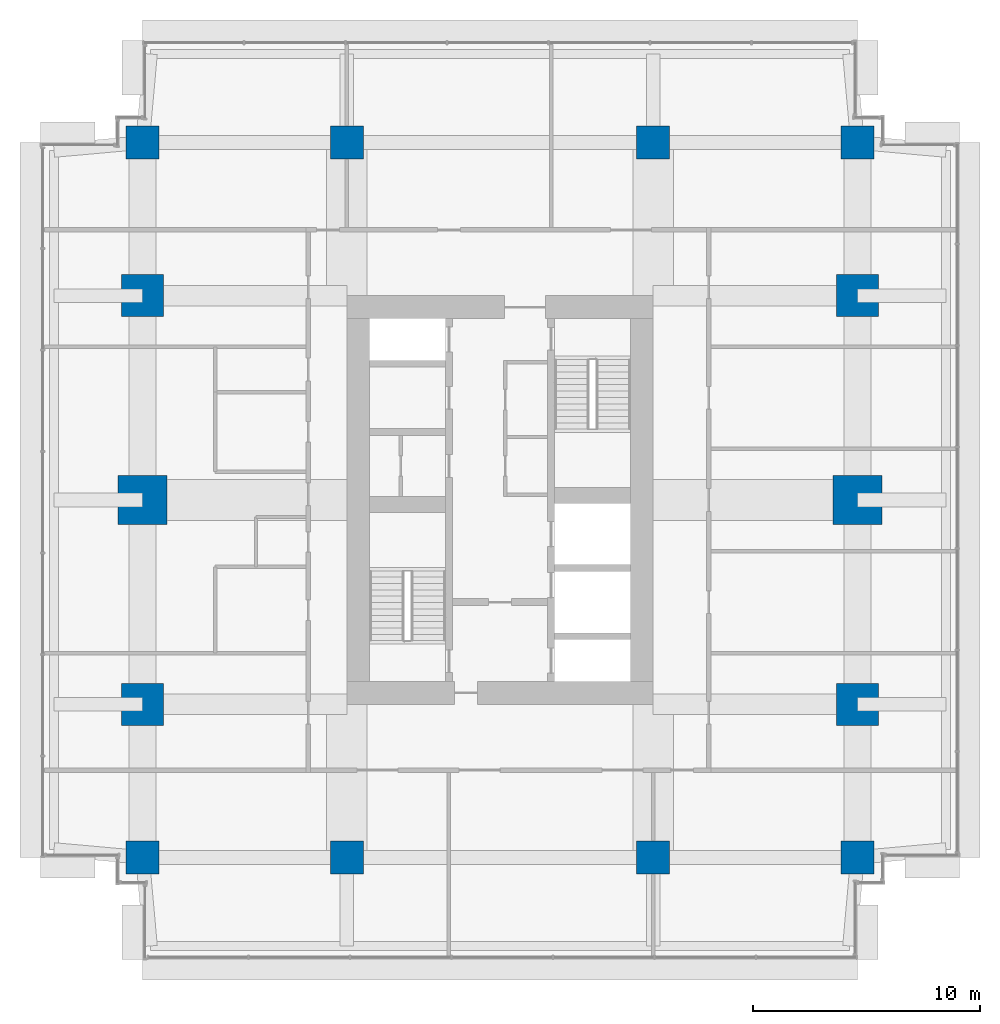
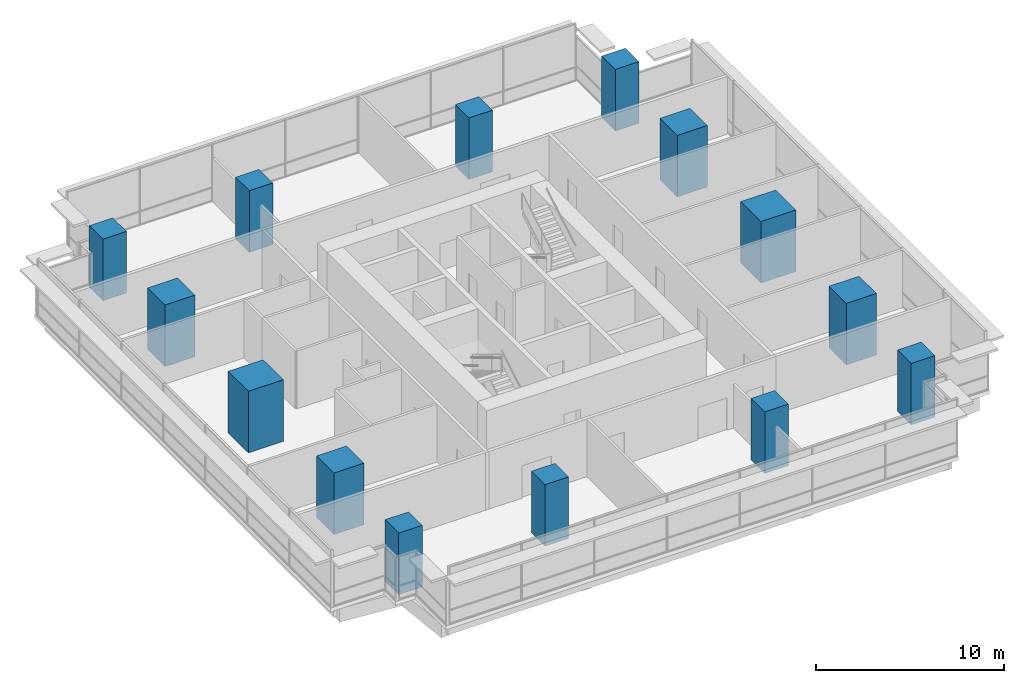
# One storey, part 1 of 14: 14 columns.
"""IFC4 building model written with IfcOpenShell, lengths in metres."""

from ifc_helpers import new_model, si_unit, direction, frame, origin, origin_2d, place, context, subcontext, project, spatial, rectangle, extrude, material, material_profile, profile_set, type_object, element, save


model = new_model("IFC4")

# Units and contexts
model_context = context("Model", 3, precision=1e-05, world=origin(), true_north=direction((0.0, 1.0)))
body_context = subcontext(model_context, "Body", "Model", "MODEL_VIEW")
ifc_project = project(units=[si_unit("LENGTHUNIT", "METRE"), si_unit("AREAUNIT", "SQUARE_METRE"), si_unit("VOLUMEUNIT", "CUBIC_METRE"), si_unit("PLANEANGLEUNIT", "RADIAN"), si_unit("MASSUNIT", "GRAM", prefix="KILO")], contexts=[model_context])

# Site, building, storey
site_placement = place(None, origin())
site = spatial("IfcSite", under=ifc_project, at=site_placement, CompositionType="ELEMENT")
building_placement = place(site_placement, origin())
building = spatial("IfcBuilding", under=site, at=building_placement, Name="Namib Vertical Campus", CompositionType="ELEMENT")
storey_placement = place(building_placement, frame((0.0, 0.0, 269.0)))
storey = spatial("IfcBuildingStorey", under=building, at=storey_placement, Name="L63", CompositionType="ELEMENT", Elevation=269.0)

# Columns
ifc_material_1 = material(Name="Concrete C60/75", Category="concrete")
ifc_material_profile_1 = material_profile(ifc_material_1, rectangle(XDim=1.449951171875, YDim=1.449951171875, at=origin_2d()))
ifc_profile_set_1 = profile_set([ifc_material_profile_1], Name="Concrete C60/75")
column_type_1 = type_object("IfcColumnType", Name="Column RC 1450x1450", PredefinedType="COLUMN", material=ifc_profile_set_1)
for number, where, z_axis, x_axis, name in (
    (1, (4.5, 4.5, 0.0), (0.0, 0.0, 1.0), (1.0, 0.0, 0.0), "Column C145 L63"),
    (2, (13.5, 4.5, 0.0), (0.0, 0.0, 1.0), (1.0, 0.0, 0.0), "Column C145 L63"),
    (3, (27.0, 4.5, 0.0), (0.0, 0.0, 1.0), (1.0, 0.0, 0.0), "Column C145 L63"),
    (4, (36.0, 4.5, 0.0), (0.0, 0.0, 1.0), (1.0, 0.0, 0.0), "Column C145 L63"),
    (5, (4.5, 36.0, 0.0), (0.0, 0.0, 1.0), (1.0, 0.0, 0.0), "Column C145 L63"),
    (6, (13.5, 36.0, 0.0), (0.0, 0.0, 1.0), (1.0, 0.0, 0.0), "Column C145 L63"),
    (7, (27.0, 36.0, 0.0), (0.0, 0.0, 1.0), (1.0, 0.0, 0.0), "Column C145 L63"),
    (8, (36.0, 36.0, 0.0), (0.0, 0.0, 1.0), (1.0, 0.0, 0.0), "Column C145 L63"),
):
    element("IfcColumn", number, at=place(storey_placement, frame(where, z_axis=z_axis, x_axis=x_axis)), inside=storey, type_object=column_type_1, Name=name, PredefinedType="COLUMN", context=body_context, shape_type="SweptSolid", body=[
        extrude(rectangle(XDim=1.449951171875, YDim=1.449951171875, at=origin_2d()), origin(), (0.0, 0.0, 1.0), 4.0),
    ])
ifc_material_2 = material(Name="Concrete C60/75", Category="concrete")
ifc_material_profile_2 = material_profile(ifc_material_2, rectangle(XDim=1.85009765625, YDim=1.85009765625, at=origin_2d()))
ifc_profile_set_2 = profile_set([ifc_material_profile_2], Name="Concrete C60/75")
column_type_2 = type_object("IfcColumnType", Name="Column RC 1850x1850", PredefinedType="COLUMN", material=ifc_profile_set_2)
for number, where, z_axis, x_axis, name in (
    (9, (4.5, 11.25, 0.0), (0.0, 0.0, 1.0), (1.0, 0.0, 0.0), "Column C185 L63"),
    (10, (36.0, 11.25, 0.0), (0.0, 0.0, 1.0), (1.0, 0.0, 0.0), "Column C185 L63"),
    (11, (4.5, 29.25, 0.0), (0.0, 0.0, 1.0), (1.0, 0.0, 0.0), "Column C185 L63"),
    (12, (36.0, 29.25, 0.0), (0.0, 0.0, 1.0), (1.0, 0.0, 0.0), "Column C185 L63"),
):
    element("IfcColumn", number, at=place(storey_placement, frame(where, z_axis=z_axis, x_axis=x_axis)), inside=storey, type_object=column_type_2, Name=name, PredefinedType="COLUMN", context=body_context, shape_type="SweptSolid", body=[
        extrude(rectangle(XDim=1.85009765625, YDim=1.85009765625, at=origin_2d()), origin(), (0.0, 0.0, 1.0), 4.0),
    ])
ifc_material_3 = material(Name="Concrete C60/75", Category="concrete")
ifc_material_profile_3 = material_profile(ifc_material_3, rectangle(XDim=2.14990234375, YDim=2.14990234375, at=origin_2d()))
ifc_profile_set_3 = profile_set([ifc_material_profile_3], Name="Concrete C60/75")
column_type_3 = type_object("IfcColumnType", Name="Column RC 2150x2150", PredefinedType="COLUMN", material=ifc_profile_set_3)
for number, where, z_axis, x_axis, name in (
    (13, (4.5, 20.25, 0.0), (0.0, 0.0, 1.0), (1.0, 0.0, 0.0), "Column C215 L63"),
    (14, (36.0, 20.25, 0.0), (0.0, 0.0, 1.0), (1.0, 0.0, 0.0), "Column C215 L63"),
):
    element("IfcColumn", number, at=place(storey_placement, frame(where, z_axis=z_axis, x_axis=x_axis)), inside=storey, type_object=column_type_3, Name=name, PredefinedType="COLUMN", context=body_context, shape_type="SweptSolid", body=[
        extrude(rectangle(XDim=2.14990234375, YDim=2.14990234375, at=origin_2d()), origin(), (0.0, 0.0, 1.0), 4.0),
    ])

save(model, "model.ifc")
